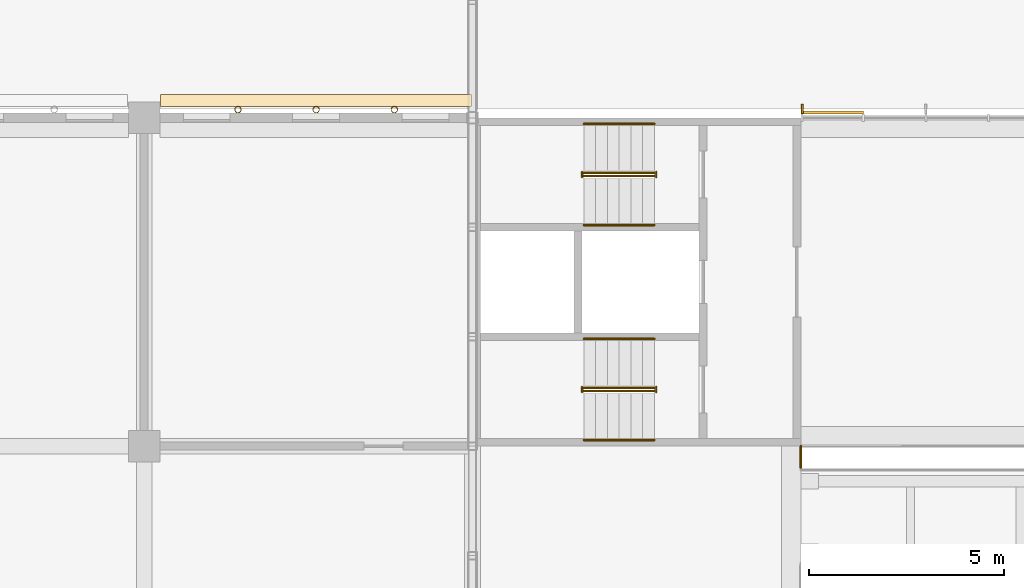
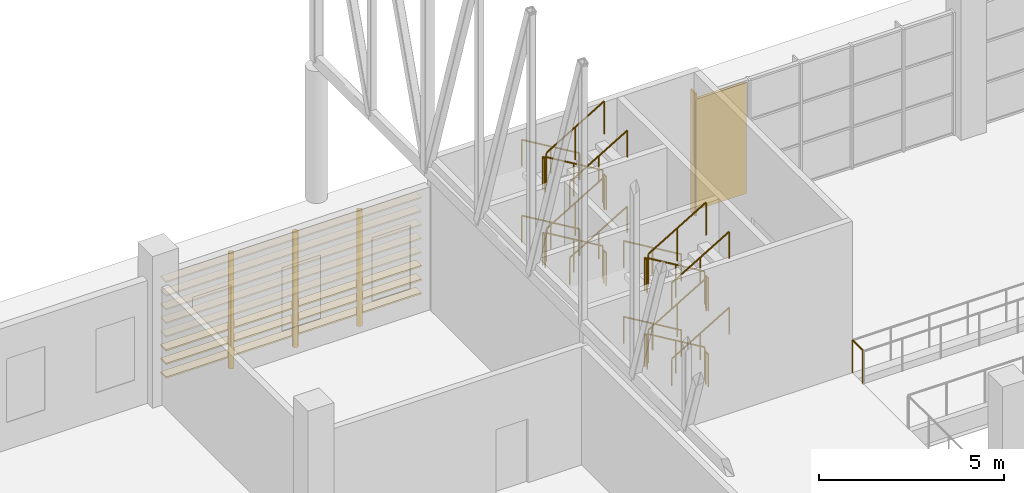
# One storey, part 89 of 101: 25 railings, 8 coverings, 5 shading devices.
"""IFC4 building model written with IfcOpenShell, lengths in metres."""

from ifc_helpers import new_model, si_unit, direction, frame, origin, origin_2d, place, context, subcontext, project, spatial, rectangle, circle, hollow_circle, extrude, material, material_profile, profile_set, type_object, element, save


model = new_model("IFC4")

# Units and contexts
model_context = context("Model", 3, precision=1e-05, world=origin(), true_north=direction((0.0, 1.0)))
body_context = subcontext(model_context, "Body", "Model", "MODEL_VIEW")
ifc_project = project(units=[si_unit("LENGTHUNIT", "METRE"), si_unit("AREAUNIT", "SQUARE_METRE"), si_unit("VOLUMEUNIT", "CUBIC_METRE"), si_unit("PLANEANGLEUNIT", "RADIAN"), si_unit("MASSUNIT", "GRAM", prefix="KILO")], contexts=[model_context])

# Site, building, storey
site_placement = place(None, origin())
site = spatial("IfcSite", under=ifc_project, at=site_placement, CompositionType="ELEMENT")
building_placement = place(site_placement, origin())
building = spatial("IfcBuilding", under=site, at=building_placement, Name="Almond Square Museum", CompositionType="ELEMENT")
storey_placement = place(building_placement, frame((0.0, 0.0, 5.5)))
storey = spatial("IfcBuildingStorey", under=building, at=storey_placement, Name="L01", CompositionType="ELEMENT", Elevation=5.5)

# Railing
ifc_material_1 = material(Name="Laminated glass and stainless steel", Category="steel")
railing_type_1 = type_object("IfcRailingType", Name="Atrium guard 1100 glass balustrade", PredefinedType="GUARDRAIL", material=ifc_material_1)
railing_1_placement = place(storey_placement, frame((81.60009765625, 100.25, 0.0)))
element("IfcRailing", 1, at=railing_1_placement, inside=storey, type_object=railing_type_1, Name="L01 atrium guard 4", PredefinedType="GUARDRAIL", context=body_context, shape_type="SweptSolid", body=[
    extrude(circle(Radius=0.02392578125, at=origin_2d()), frame((0.0, 0.0, 1.076171875), z_axis=(0.0, 1.0, 0.0), x_axis=(-1.0, 0.0, 0.0)), (0.0, 0.0, 1.0), 0.550048828125),
    extrude(circle(Radius=0.02099609375, at=origin_2d()), origin(), (0.0, 0.0, 1.0), 1.052001953125),
    extrude(circle(Radius=0.02099609375, at=origin_2d()), frame((0.0, 0.550048828125, 0.0)), (0.0, 0.0, 1.0), 1.052001953125),
])

# Shading devices
ifc_material_2 = material(Name="Structural steel S355", Category="steel")
ifc_material_profile_1 = material_profile(ifc_material_2, hollow_circle(Radius=0.084228515625, WallThickness=0.008056640625, at=origin_2d()))
ifc_profile_set_1 = profile_set([ifc_material_profile_1], Name="Structural steel S355")
shading_device_type_1 = type_object("IfcShadingDeviceType", Name="Louvre post CHS 168.3 x 8", PredefinedType="USERDEFINED", material=ifc_profile_set_1)
for number, where, z_axis, x_axis, name in (
    (2, (67.199951171875, 109.4091796875, 0.0), (0.0, 0.0, 1.0), (1.0, 0.0, 0.0), "Louvre screen post"),
    (3, (69.199951171875, 109.4091796875, 0.0), (0.0, 0.0, 1.0), (1.0, 0.0, 0.0), "Louvre screen post"),
    (4, (71.199951171875, 109.4091796875, 0.0), (0.0, 0.0, 1.0), (1.0, 0.0, 0.0), "Louvre screen post"),
):
    element("IfcShadingDevice", number, at=place(storey_placement, frame(where, z_axis=z_axis, x_axis=x_axis)), inside=storey, type_object=shading_device_type_1, Name=name, ObjectType="POST", PredefinedType="USERDEFINED", context=body_context, shape_type="SweptSolid", body=[
        extrude(hollow_circle(Radius=0.084228515625, WallThickness=0.008056640625, at=origin_2d()), origin(), (0.0, 0.0, 1.0), 3.800048828125),
    ])

# Coverings
ifc_material_3 = material(Name="Cedar timber louvre board", Category="wood")
ifc_material_profile_2 = material_profile(ifc_material_3, rectangle(XDim=0.300048828125, YDim=0.050048828125, at=origin_2d()))
ifc_profile_set_2 = profile_set([ifc_material_profile_2], Name="Cedar timber louvre board")
covering_type = type_object("IfcCoveringType", Name="Louvre screen board 300 x 50", PredefinedType="CLADDING", material=ifc_profile_set_2)
for number, where, z_axis, x_axis, name in (
    (5, (65.219970703125, 109.639404296875, 0.300048828125), (1.0, 0.0, 0.0), (0.0, 1.0, 0.0), "Louvre screen board"),
    (6, (65.219970703125, 109.639404296875, 0.75), (1.0, 0.0, 0.0), (0.0, 1.0, 0.0), "Louvre screen board"),
    (7, (65.219970703125, 109.639404296875, 1.199951171875), (1.0, 0.0, 0.0), (0.0, 1.0, 0.0), "Louvre screen board"),
    (8, (65.219970703125, 109.639404296875, 1.64990234375), (1.0, 0.0, 0.0), (0.0, 1.0, 0.0), "Louvre screen board"),
    (9, (65.219970703125, 109.639404296875, 2.10009765625), (1.0, 0.0, 0.0), (0.0, 1.0, 0.0), "Louvre screen board"),
    (10, (65.219970703125, 109.639404296875, 2.550048828125), (1.0, 0.0, 0.0), (0.0, 1.0, 0.0), "Louvre screen board"),
    (11, (65.219970703125, 109.639404296875, 3.0), (1.0, 0.0, 0.0), (0.0, 1.0, 0.0), "Louvre screen board"),
    (12, (65.219970703125, 109.639404296875, 3.449951171875), (1.0, 0.0, 0.0), (0.0, 1.0, 0.0), "Louvre screen board"),
):
    element("IfcCovering", number, at=place(storey_placement, frame(where, z_axis=z_axis, x_axis=x_axis)), inside=storey, type_object=covering_type, Name=name, PredefinedType="CLADDING", context=body_context, shape_type="SweptSolid", body=[
        extrude(rectangle(XDim=0.300048828125, YDim=0.050048828125, at=origin_2d()), origin(), (0.0, 0.0, 1.0), 7.9599609375),
    ])

# Railings
ifc_material_4 = material(Name="Stainless steel and laminated glass", Category="steel")
railing_type_2 = type_object("IfcRailingType", Name="Stair guard 1100 steel and glass", PredefinedType="GUARDRAIL", material=ifc_material_4)
railing_2_placement = place(storey_placement, frame((77.85009765625, 102.2900390625, 0.178466796875)))
element("IfcRailing", 13, at=railing_2_placement, inside=storey, type_object=railing_type_2, Name="L01 ST-09 stair guard 1", PredefinedType="GUARDRAIL", context=body_context, shape_type="SweptSolid", body=[
    extrude(circle(Radius=0.02392578125, at=origin_2d()), frame((0.0, 0.0, 1.076171875), z_axis=(-0.859277029364, 0.0, 0.511510495305), x_axis=(0.0, -1.0, 0.0)), (0.0, 0.0, 1.0), 2.0947265625),
    extrude(circle(Radius=0.02099609375, at=origin_2d()), origin(), (0.0, 0.0, 1.0), 1.052001953125),
    extrude(circle(Radius=0.02099609375, at=origin_2d()), frame((-0.89990234375, 0.0, 0.53564453125)), (0.0, 0.0, 1.0), 1.052001953125),
    extrude(circle(Radius=0.02099609375, at=origin_2d()), frame((-1.800048828125, 0.0, 1.071533203125)), (0.0, 0.0, 1.0), 1.052001953125),
])
railing_3_placement = place(storey_placement, frame((76.0, 102.320068359375, 1.25)))
element("IfcRailing", 14, at=railing_3_placement, inside=storey, type_object=railing_type_2, Name="L01 ST-09 stair guard 2", PredefinedType="GUARDRAIL", context=body_context, shape_type="SweptSolid", body=[
    extrude(circle(Radius=0.02392578125, at=origin_2d()), frame((0.0, 0.0, 1.076171875), z_axis=(0.0, -1.0, 0.0), x_axis=(1.0, 0.0, 0.0)), (0.0, 0.0, 1.0), 0.14013671875),
    extrude(circle(Radius=0.02099609375, at=origin_2d()), origin(), (0.0, 0.0, 1.0), 1.052001953125),
    extrude(circle(Radius=0.02099609375, at=origin_2d()), frame((0.0, -0.14013671875, 0.0)), (0.0, 0.0, 1.0), 1.052001953125),
])
railing_4_placement = place(storey_placement, frame((76.050048828125, 102.2099609375, 1.428466796875)))
element("IfcRailing", 15, at=railing_4_placement, inside=storey, type_object=railing_type_2, Name="L01 ST-09 stair guard 3", PredefinedType="GUARDRAIL", context=body_context, shape_type="SweptSolid", body=[
    extrude(circle(Radius=0.02392578125, at=origin_2d()), frame((0.0, 0.0, 1.076171875), z_axis=(0.859277029364, 0.0, 0.511510495305), x_axis=(0.0, 1.0, 0.0)), (0.0, 0.0, 1.0), 2.0947265625),
    extrude(circle(Radius=0.02099609375, at=origin_2d()), origin(), (0.0, 0.0, 1.0), 1.052001953125),
    extrude(circle(Radius=0.02099609375, at=origin_2d()), frame((0.89990234375, 0.0, 0.53564453125)), (0.0, 0.0, 1.0), 1.052001953125),
    extrude(circle(Radius=0.02099609375, at=origin_2d()), frame((1.800048828125, 0.0, 1.071533203125)), (0.0, 0.0, 1.0), 1.052001953125),
])
railing_5_placement = place(storey_placement, frame((77.89990234375, 102.320068359375, 2.5)))
element("IfcRailing", 16, at=railing_5_placement, inside=storey, type_object=railing_type_2, Name="L01 ST-09 stair guard 4", PredefinedType="GUARDRAIL", context=body_context, shape_type="SweptSolid", body=[
    extrude(circle(Radius=0.02392578125, at=origin_2d()), frame((0.0, 0.0, 1.076171875), z_axis=(0.0, -1.0, 0.0), x_axis=(1.0, 0.0, 0.0)), (0.0, 0.0, 1.0), 0.14013671875),
    extrude(circle(Radius=0.02099609375, at=origin_2d()), origin(), (0.0, 0.0, 1.0), 1.052001953125),
    extrude(circle(Radius=0.02099609375, at=origin_2d()), frame((0.0, -0.14013671875, 0.0)), (0.0, 0.0, 1.0), 1.052001953125),
])
railing_6_placement = place(storey_placement, frame((77.85009765625, 102.2900390625, 2.678466796875)))
element("IfcRailing", 17, at=railing_6_placement, inside=storey, type_object=railing_type_2, Name="L01 ST-09 stair guard 5", PredefinedType="GUARDRAIL", context=body_context, shape_type="SweptSolid", body=[
    extrude(circle(Radius=0.02392578125, at=origin_2d()), frame((0.0, 0.0, 1.076171875), z_axis=(-0.859277029364, 0.0, 0.511510495305), x_axis=(0.0, -1.0, 0.0)), (0.0, 0.0, 1.0), 2.0947265625),
    extrude(circle(Radius=0.02099609375, at=origin_2d()), origin(), (0.0, 0.0, 1.0), 1.052001953125),
    extrude(circle(Radius=0.02099609375, at=origin_2d()), frame((-0.89990234375, 0.0, 0.53564453125)), (0.0, 0.0, 1.0), 1.052001953125),
    extrude(circle(Radius=0.02099609375, at=origin_2d()), frame((-1.800048828125, 0.0, 1.071533203125)), (0.0, 0.0, 1.0), 1.052001953125),
])
railing_7_placement = place(storey_placement, frame((76.0, 102.320068359375, 3.75)))
element("IfcRailing", 18, at=railing_7_placement, inside=storey, type_object=railing_type_2, Name="L01 ST-09 stair guard 6", PredefinedType="GUARDRAIL", context=body_context, shape_type="SweptSolid", body=[
    extrude(circle(Radius=0.02392578125, at=origin_2d()), frame((0.0, 0.0, 1.076171875), z_axis=(0.0, -1.0, 0.0), x_axis=(1.0, 0.0, 0.0)), (0.0, 0.0, 1.0), 0.14013671875),
    extrude(circle(Radius=0.02099609375, at=origin_2d()), origin(), (0.0, 0.0, 1.0), 1.052001953125),
    extrude(circle(Radius=0.02099609375, at=origin_2d()), frame((0.0, -0.14013671875, 0.0)), (0.0, 0.0, 1.0), 1.052001953125),
])
railing_8_placement = place(storey_placement, frame((76.050048828125, 102.2099609375, 3.928466796875)))
element("IfcRailing", 19, at=railing_8_placement, inside=storey, type_object=railing_type_2, Name="L01 ST-09 stair guard 7", PredefinedType="GUARDRAIL", context=body_context, shape_type="SweptSolid", body=[
    extrude(circle(Radius=0.02392578125, at=origin_2d()), frame((0.0, 0.0, 1.076171875), z_axis=(0.859277029364, 0.0, 0.511510495305), x_axis=(0.0, 1.0, 0.0)), (0.0, 0.0, 1.0), 2.0947265625),
    extrude(circle(Radius=0.02099609375, at=origin_2d()), origin(), (0.0, 0.0, 1.0), 1.052001953125),
    extrude(circle(Radius=0.02099609375, at=origin_2d()), frame((0.89990234375, 0.0, 0.53564453125)), (0.0, 0.0, 1.0), 1.052001953125),
    extrude(circle(Radius=0.02099609375, at=origin_2d()), frame((1.800048828125, 0.0, 1.071533203125)), (0.0, 0.0, 1.0), 1.052001953125),
])
railing_9_placement = place(storey_placement, frame((77.89990234375, 102.320068359375, 0.0)))
element("IfcRailing", 20, at=railing_9_placement, inside=storey, type_object=railing_type_2, Name="L01 ST-09 stair guard 8", PredefinedType="GUARDRAIL", context=body_context, shape_type="SweptSolid", body=[
    extrude(circle(Radius=0.02392578125, at=origin_2d()), frame((0.0, 0.0, 1.076171875), z_axis=(0.0, -1.0, 0.0), x_axis=(1.0, 0.0, 0.0)), (0.0, 0.0, 1.0), 0.14013671875),
    extrude(circle(Radius=0.02099609375, at=origin_2d()), origin(), (0.0, 0.0, 1.0), 1.052001953125),
    extrude(circle(Radius=0.02099609375, at=origin_2d()), frame((0.0, -0.14013671875, 0.0)), (0.0, 0.0, 1.0), 1.052001953125),
])
railing_10_placement = place(storey_placement, frame((77.85009765625, 107.7900390625, 0.178466796875)))
element("IfcRailing", 21, at=railing_10_placement, inside=storey, type_object=railing_type_2, Name="L01 ST-10 stair guard 1", PredefinedType="GUARDRAIL", context=body_context, shape_type="SweptSolid", body=[
    extrude(circle(Radius=0.02392578125, at=origin_2d()), frame((0.0, 0.0, 1.076171875), z_axis=(-0.859277029364, 0.0, 0.511510495305), x_axis=(0.0, -1.0, 0.0)), (0.0, 0.0, 1.0), 2.0947265625),
    extrude(circle(Radius=0.02099609375, at=origin_2d()), origin(), (0.0, 0.0, 1.0), 1.052001953125),
    extrude(circle(Radius=0.02099609375, at=origin_2d()), frame((-0.89990234375, 0.0, 0.53564453125)), (0.0, 0.0, 1.0), 1.052001953125),
    extrude(circle(Radius=0.02099609375, at=origin_2d()), frame((-1.800048828125, 0.0, 1.071533203125)), (0.0, 0.0, 1.0), 1.052001953125),
])
railing_11_placement = place(storey_placement, frame((76.0, 107.820068359375, 1.25)))
element("IfcRailing", 22, at=railing_11_placement, inside=storey, type_object=railing_type_2, Name="L01 ST-10 stair guard 2", PredefinedType="GUARDRAIL", context=body_context, shape_type="SweptSolid", body=[
    extrude(circle(Radius=0.02392578125, at=origin_2d()), frame((0.0, 0.0, 1.076171875), z_axis=(0.0, -1.0, 0.0), x_axis=(1.0, 0.0, 0.0)), (0.0, 0.0, 1.0), 0.14013671875),
    extrude(circle(Radius=0.02099609375, at=origin_2d()), origin(), (0.0, 0.0, 1.0), 1.052001953125),
    extrude(circle(Radius=0.02099609375, at=origin_2d()), frame((0.0, -0.14013671875, 0.0)), (0.0, 0.0, 1.0), 1.052001953125),
])
railing_12_placement = place(storey_placement, frame((76.050048828125, 107.7099609375, 1.428466796875)))
element("IfcRailing", 23, at=railing_12_placement, inside=storey, type_object=railing_type_2, Name="L01 ST-10 stair guard 3", PredefinedType="GUARDRAIL", context=body_context, shape_type="SweptSolid", body=[
    extrude(circle(Radius=0.02392578125, at=origin_2d()), frame((0.0, 0.0, 1.076171875), z_axis=(0.859277029364, 0.0, 0.511510495305), x_axis=(0.0, 1.0, 0.0)), (0.0, 0.0, 1.0), 2.0947265625),
    extrude(circle(Radius=0.02099609375, at=origin_2d()), origin(), (0.0, 0.0, 1.0), 1.052001953125),
    extrude(circle(Radius=0.02099609375, at=origin_2d()), frame((0.89990234375, 0.0, 0.53564453125)), (0.0, 0.0, 1.0), 1.052001953125),
    extrude(circle(Radius=0.02099609375, at=origin_2d()), frame((1.800048828125, 0.0, 1.071533203125)), (0.0, 0.0, 1.0), 1.052001953125),
])
railing_13_placement = place(storey_placement, frame((77.89990234375, 107.820068359375, 2.5)))
element("IfcRailing", 24, at=railing_13_placement, inside=storey, type_object=railing_type_2, Name="L01 ST-10 stair guard 4", PredefinedType="GUARDRAIL", context=body_context, shape_type="SweptSolid", body=[
    extrude(circle(Radius=0.02392578125, at=origin_2d()), frame((0.0, 0.0, 1.076171875), z_axis=(0.0, -1.0, 0.0), x_axis=(1.0, 0.0, 0.0)), (0.0, 0.0, 1.0), 0.14013671875),
    extrude(circle(Radius=0.02099609375, at=origin_2d()), origin(), (0.0, 0.0, 1.0), 1.052001953125),
    extrude(circle(Radius=0.02099609375, at=origin_2d()), frame((0.0, -0.14013671875, 0.0)), (0.0, 0.0, 1.0), 1.052001953125),
])
railing_14_placement = place(storey_placement, frame((77.85009765625, 107.7900390625, 2.678466796875)))
element("IfcRailing", 25, at=railing_14_placement, inside=storey, type_object=railing_type_2, Name="L01 ST-10 stair guard 5", PredefinedType="GUARDRAIL", context=body_context, shape_type="SweptSolid", body=[
    extrude(circle(Radius=0.02392578125, at=origin_2d()), frame((0.0, 0.0, 1.076171875), z_axis=(-0.859277029364, 0.0, 0.511510495305), x_axis=(0.0, -1.0, 0.0)), (0.0, 0.0, 1.0), 2.0947265625),
    extrude(circle(Radius=0.02099609375, at=origin_2d()), origin(), (0.0, 0.0, 1.0), 1.052001953125),
    extrude(circle(Radius=0.02099609375, at=origin_2d()), frame((-0.89990234375, 0.0, 0.53564453125)), (0.0, 0.0, 1.0), 1.052001953125),
    extrude(circle(Radius=0.02099609375, at=origin_2d()), frame((-1.800048828125, 0.0, 1.071533203125)), (0.0, 0.0, 1.0), 1.052001953125),
])
railing_15_placement = place(storey_placement, frame((76.0, 107.820068359375, 3.75)))
element("IfcRailing", 26, at=railing_15_placement, inside=storey, type_object=railing_type_2, Name="L01 ST-10 stair guard 6", PredefinedType="GUARDRAIL", context=body_context, shape_type="SweptSolid", body=[
    extrude(circle(Radius=0.02392578125, at=origin_2d()), frame((0.0, 0.0, 1.076171875), z_axis=(0.0, -1.0, 0.0), x_axis=(1.0, 0.0, 0.0)), (0.0, 0.0, 1.0), 0.14013671875),
    extrude(circle(Radius=0.02099609375, at=origin_2d()), origin(), (0.0, 0.0, 1.0), 1.052001953125),
    extrude(circle(Radius=0.02099609375, at=origin_2d()), frame((0.0, -0.14013671875, 0.0)), (0.0, 0.0, 1.0), 1.052001953125),
])
railing_16_placement = place(storey_placement, frame((76.050048828125, 107.7099609375, 3.928466796875)))
element("IfcRailing", 27, at=railing_16_placement, inside=storey, type_object=railing_type_2, Name="L01 ST-10 stair guard 7", PredefinedType="GUARDRAIL", context=body_context, shape_type="SweptSolid", body=[
    extrude(circle(Radius=0.02392578125, at=origin_2d()), frame((0.0, 0.0, 1.076171875), z_axis=(0.859277029364, 0.0, 0.511510495305), x_axis=(0.0, 1.0, 0.0)), (0.0, 0.0, 1.0), 2.0947265625),
    extrude(circle(Radius=0.02099609375, at=origin_2d()), origin(), (0.0, 0.0, 1.0), 1.052001953125),
    extrude(circle(Radius=0.02099609375, at=origin_2d()), frame((0.89990234375, 0.0, 0.53564453125)), (0.0, 0.0, 1.0), 1.052001953125),
    extrude(circle(Radius=0.02099609375, at=origin_2d()), frame((1.800048828125, 0.0, 1.071533203125)), (0.0, 0.0, 1.0), 1.052001953125),
])
railing_17_placement = place(storey_placement, frame((77.89990234375, 107.820068359375, 0.0)))
element("IfcRailing", 28, at=railing_17_placement, inside=storey, type_object=railing_type_2, Name="L01 ST-10 stair guard 8", PredefinedType="GUARDRAIL", context=body_context, shape_type="SweptSolid", body=[
    extrude(circle(Radius=0.02392578125, at=origin_2d()), frame((0.0, 0.0, 1.076171875), z_axis=(0.0, -1.0, 0.0), x_axis=(1.0, 0.0, 0.0)), (0.0, 0.0, 1.0), 0.14013671875),
    extrude(circle(Radius=0.02099609375, at=origin_2d()), origin(), (0.0, 0.0, 1.0), 1.052001953125),
    extrude(circle(Radius=0.02099609375, at=origin_2d()), frame((0.0, -0.14013671875, 0.0)), (0.0, 0.0, 1.0), 1.052001953125),
])
ifc_material_5 = material(Name="Stainless steel", Category="steel")
railing_type_3 = type_object("IfcRailingType", Name="Stair handrail 900 steel", PredefinedType="HANDRAIL", material=ifc_material_5)
railing_18_placement = place(storey_placement, frame((77.85009765625, 103.544921875, 0.178466796875)))
element("IfcRailing", 29, at=railing_18_placement, inside=storey, type_object=railing_type_3, Name="L01 ST-09 stair handrail 1", PredefinedType="HANDRAIL", context=body_context, shape_type="SweptSolid", body=[
    extrude(circle(Radius=0.02392578125, at=origin_2d()), frame((0.0, 0.0, 0.8759765625), z_axis=(-0.859277029364, 0.0, 0.511510495305), x_axis=(0.0, -1.0, 0.0)), (0.0, 0.0, 1.0), 2.0947265625),
    extrude(circle(Radius=0.02099609375, at=origin_2d()), origin(), (0.0, 0.0, 1.0), 0.851806640625),
    extrude(circle(Radius=0.02099609375, at=origin_2d()), frame((-0.89990234375, 0.0, 0.53564453125)), (0.0, 0.0, 1.0), 0.851806640625),
    extrude(circle(Radius=0.02099609375, at=origin_2d()), frame((-1.800048828125, 0.0, 1.071533203125)), (0.0, 0.0, 1.0), 0.851806640625),
])
railing_19_placement = place(storey_placement, frame((76.050048828125, 100.955078125, 1.428466796875)))
element("IfcRailing", 30, at=railing_19_placement, inside=storey, type_object=railing_type_3, Name="L01 ST-09 stair handrail 2", PredefinedType="HANDRAIL", context=body_context, shape_type="SweptSolid", body=[
    extrude(circle(Radius=0.02392578125, at=origin_2d()), frame((0.0, 0.0, 0.8759765625), z_axis=(0.859277029364, 0.0, 0.511510495305), x_axis=(0.0, 1.0, 0.0)), (0.0, 0.0, 1.0), 2.0947265625),
    extrude(circle(Radius=0.02099609375, at=origin_2d()), origin(), (0.0, 0.0, 1.0), 0.851806640625),
    extrude(circle(Radius=0.02099609375, at=origin_2d()), frame((0.89990234375, 0.0, 0.53564453125)), (0.0, 0.0, 1.0), 0.851806640625),
    extrude(circle(Radius=0.02099609375, at=origin_2d()), frame((1.800048828125, 0.0, 1.071533203125)), (0.0, 0.0, 1.0), 0.851806640625),
])
railing_20_placement = place(storey_placement, frame((77.85009765625, 103.544921875, 2.678466796875)))
element("IfcRailing", 31, at=railing_20_placement, inside=storey, type_object=railing_type_3, Name="L01 ST-09 stair handrail 3", PredefinedType="HANDRAIL", context=body_context, shape_type="SweptSolid", body=[
    extrude(circle(Radius=0.02392578125, at=origin_2d()), frame((0.0, 0.0, 0.8759765625), z_axis=(-0.859277029364, 0.0, 0.511510495305), x_axis=(0.0, -1.0, 0.0)), (0.0, 0.0, 1.0), 2.0947265625),
    extrude(circle(Radius=0.02099609375, at=origin_2d()), origin(), (0.0, 0.0, 1.0), 0.851806640625),
    extrude(circle(Radius=0.02099609375, at=origin_2d()), frame((-0.89990234375, 0.0, 0.53564453125)), (0.0, 0.0, 1.0), 0.851806640625),
    extrude(circle(Radius=0.02099609375, at=origin_2d()), frame((-1.800048828125, 0.0, 1.071533203125)), (0.0, 0.0, 1.0), 0.851806640625),
])
railing_21_placement = place(storey_placement, frame((76.050048828125, 100.955078125, 3.928466796875)))
element("IfcRailing", 32, at=railing_21_placement, inside=storey, type_object=railing_type_3, Name="L01 ST-09 stair handrail 4", PredefinedType="HANDRAIL", context=body_context, shape_type="SweptSolid", body=[
    extrude(circle(Radius=0.02392578125, at=origin_2d()), frame((0.0, 0.0, 0.8759765625), z_axis=(0.859277029364, 0.0, 0.511510495305), x_axis=(0.0, 1.0, 0.0)), (0.0, 0.0, 1.0), 2.0947265625),
    extrude(circle(Radius=0.02099609375, at=origin_2d()), origin(), (0.0, 0.0, 1.0), 0.851806640625),
    extrude(circle(Radius=0.02099609375, at=origin_2d()), frame((0.89990234375, 0.0, 0.53564453125)), (0.0, 0.0, 1.0), 0.851806640625),
    extrude(circle(Radius=0.02099609375, at=origin_2d()), frame((1.800048828125, 0.0, 1.071533203125)), (0.0, 0.0, 1.0), 0.851806640625),
])
railing_22_placement = place(storey_placement, frame((77.85009765625, 109.044921875, 0.178466796875)))
element("IfcRailing", 33, at=railing_22_placement, inside=storey, type_object=railing_type_3, Name="L01 ST-10 stair handrail 1", PredefinedType="HANDRAIL", context=body_context, shape_type="SweptSolid", body=[
    extrude(circle(Radius=0.02392578125, at=origin_2d()), frame((0.0, 0.0, 0.8759765625), z_axis=(-0.859277029364, 0.0, 0.511510495305), x_axis=(0.0, -1.0, 0.0)), (0.0, 0.0, 1.0), 2.0947265625),
    extrude(circle(Radius=0.02099609375, at=origin_2d()), origin(), (0.0, 0.0, 1.0), 0.851806640625),
    extrude(circle(Radius=0.02099609375, at=origin_2d()), frame((-0.89990234375, 0.0, 0.53564453125)), (0.0, 0.0, 1.0), 0.851806640625),
    extrude(circle(Radius=0.02099609375, at=origin_2d()), frame((-1.800048828125, 0.0, 1.071533203125)), (0.0, 0.0, 1.0), 0.851806640625),
])
railing_23_placement = place(storey_placement, frame((76.050048828125, 106.455078125, 1.428466796875)))
element("IfcRailing", 34, at=railing_23_placement, inside=storey, type_object=railing_type_3, Name="L01 ST-10 stair handrail 2", PredefinedType="HANDRAIL", context=body_context, shape_type="SweptSolid", body=[
    extrude(circle(Radius=0.02392578125, at=origin_2d()), frame((0.0, 0.0, 0.8759765625), z_axis=(0.859277029364, 0.0, 0.511510495305), x_axis=(0.0, 1.0, 0.0)), (0.0, 0.0, 1.0), 2.0947265625),
    extrude(circle(Radius=0.02099609375, at=origin_2d()), origin(), (0.0, 0.0, 1.0), 0.851806640625),
    extrude(circle(Radius=0.02099609375, at=origin_2d()), frame((0.89990234375, 0.0, 0.53564453125)), (0.0, 0.0, 1.0), 0.851806640625),
    extrude(circle(Radius=0.02099609375, at=origin_2d()), frame((1.800048828125, 0.0, 1.071533203125)), (0.0, 0.0, 1.0), 0.851806640625),
])
railing_24_placement = place(storey_placement, frame((77.85009765625, 109.044921875, 2.678466796875)))
element("IfcRailing", 35, at=railing_24_placement, inside=storey, type_object=railing_type_3, Name="L01 ST-10 stair handrail 3", PredefinedType="HANDRAIL", context=body_context, shape_type="SweptSolid", body=[
    extrude(circle(Radius=0.02392578125, at=origin_2d()), frame((0.0, 0.0, 0.8759765625), z_axis=(-0.859277029364, 0.0, 0.511510495305), x_axis=(0.0, -1.0, 0.0)), (0.0, 0.0, 1.0), 2.0947265625),
    extrude(circle(Radius=0.02099609375, at=origin_2d()), origin(), (0.0, 0.0, 1.0), 0.851806640625),
    extrude(circle(Radius=0.02099609375, at=origin_2d()), frame((-0.89990234375, 0.0, 0.53564453125)), (0.0, 0.0, 1.0), 0.851806640625),
    extrude(circle(Radius=0.02099609375, at=origin_2d()), frame((-1.800048828125, 0.0, 1.071533203125)), (0.0, 0.0, 1.0), 0.851806640625),
])
railing_25_placement = place(storey_placement, frame((76.050048828125, 106.455078125, 3.928466796875)))
element("IfcRailing", 36, at=railing_25_placement, inside=storey, type_object=railing_type_3, Name="L01 ST-10 stair handrail 4", PredefinedType="HANDRAIL", context=body_context, shape_type="SweptSolid", body=[
    extrude(circle(Radius=0.02392578125, at=origin_2d()), frame((0.0, 0.0, 0.8759765625), z_axis=(0.859277029364, 0.0, 0.511510495305), x_axis=(0.0, 1.0, 0.0)), (0.0, 0.0, 1.0), 2.0947265625),
    extrude(circle(Radius=0.02099609375, at=origin_2d()), origin(), (0.0, 0.0, 1.0), 0.851806640625),
    extrude(circle(Radius=0.02099609375, at=origin_2d()), frame((0.89990234375, 0.0, 0.53564453125)), (0.0, 0.0, 1.0), 0.851806640625),
    extrude(circle(Radius=0.02099609375, at=origin_2d()), frame((1.800048828125, 0.0, 1.071533203125)), (0.0, 0.0, 1.0), 0.851806640625),
])

# Shading devices
ifc_material_6 = material(Name="Anodised aluminium louvre", Category="aluminium")
shading_device_type_2 = type_object("IfcShadingDeviceType", Name="Storm louvre shutter", PredefinedType="SHUTTER", material=ifc_material_6)
shading_device_1_placement = place(storey_placement, frame((82.4150390625, 109.337890625, 0.199951171875), z_axis=(0.0, 0.0, 1.0), x_axis=(1.0, 0.0, 0.0)))
element("IfcShadingDevice", 37, at=shading_device_1_placement, inside=storey, type_object=shading_device_type_2, Name="Storm louvre shutter", PredefinedType="SHUTTER", context=body_context, shape_type="SweptSolid", body=[
    extrude(rectangle(XDim=1.570068359375, YDim=0.080078125, at=origin_2d()), origin(), (0.0, 0.0, 1.0), 3.64990234375),
])
ifc_material_7 = material(Name="Cedar timber fin", Category="wood")
ifc_material_profile_3 = material_profile(ifc_material_7, rectangle(XDim=0.25, YDim=0.050048828125, at=origin_2d()))
ifc_profile_set_3 = profile_set([ifc_material_profile_3], Name="Cedar timber fin")
shading_device_type_3 = type_object("IfcShadingDeviceType", Name="Timber fin 250 x 50", PredefinedType="USERDEFINED", material=ifc_profile_set_3)
shading_device_2_placement = place(storey_placement, frame((81.6298828125, 109.423095703125, 0.0), z_axis=(0.0, 0.0, 1.0), x_axis=(0.0, 1.0, 0.0)))
element("IfcShadingDevice", 38, at=shading_device_2_placement, inside=storey, type_object=shading_device_type_3, Name="Timber fin", ObjectType="FIN", PredefinedType="USERDEFINED", context=body_context, shape_type="SweptSolid", body=[
    extrude(rectangle(XDim=0.25, YDim=0.050048828125, at=origin_2d()), origin(), (0.0, 0.0, 1.0), 4.050048828125),
])

save(model, "model.ifc")
